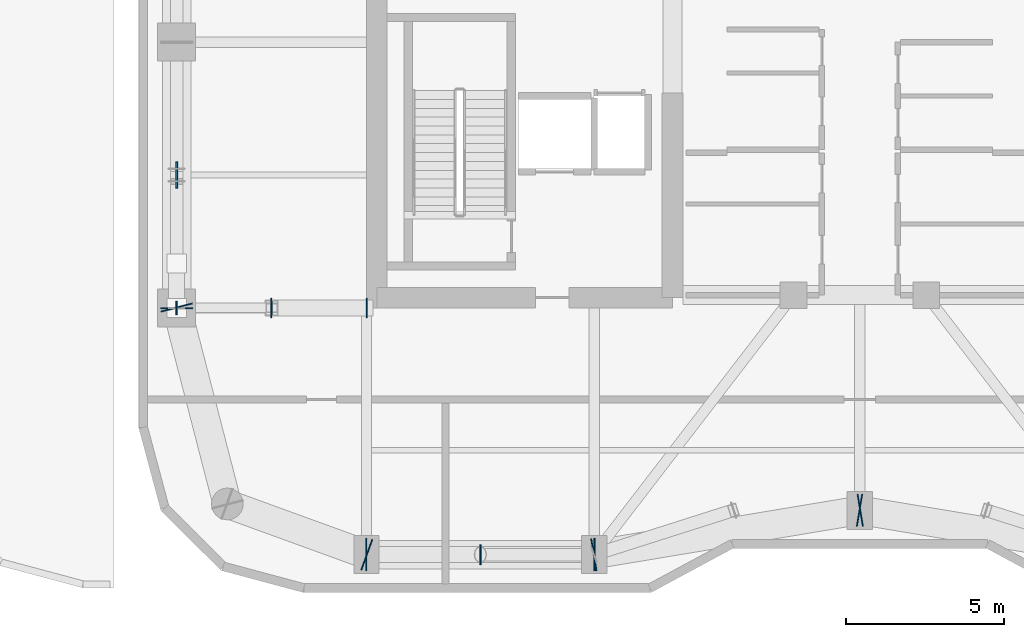
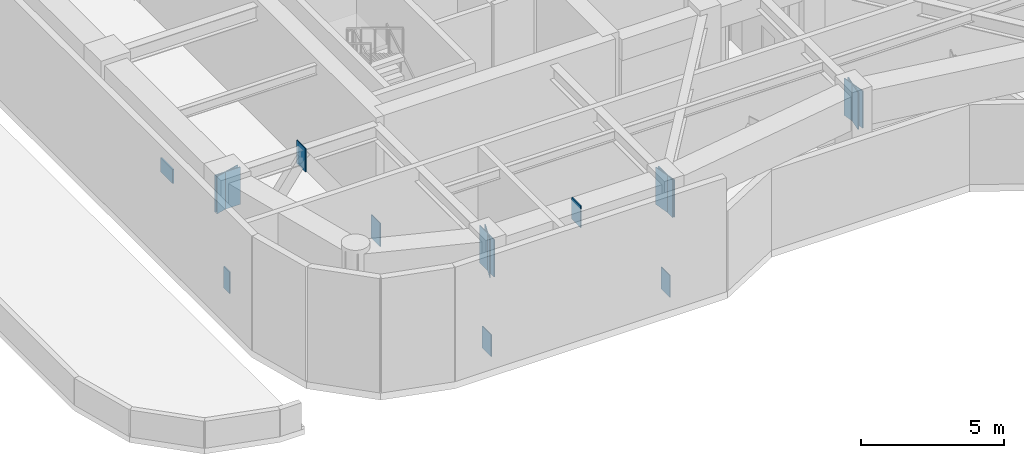
# One storey, part 3 of 16: 16 plates.
"""IFC4 building model written with IfcOpenShell, lengths in metres."""

from ifc_helpers import new_model, si_unit, direction, frame, origin, origin_2d, place, context, subcontext, project, spatial, rectangle, extrude, material, layer, layer_set, type_object, element, save


model = new_model("IFC4")

# Units and contexts
model_context = context("Model", 3, precision=1e-05, world=origin(), true_north=direction((0.0, 1.0)))
body_context = subcontext(model_context, "Body", "Model", "MODEL_VIEW")
ifc_project = project(units=[si_unit("LENGTHUNIT", "METRE"), si_unit("AREAUNIT", "SQUARE_METRE"), si_unit("VOLUMEUNIT", "CUBIC_METRE"), si_unit("PLANEANGLEUNIT", "RADIAN"), si_unit("MASSUNIT", "GRAM", prefix="KILO")], contexts=[model_context])

# Site, building, storey
site_placement = place(None, origin())
site = spatial("IfcSite", under=ifc_project, at=site_placement, CompositionType="ELEMENT")
building_placement = place(site_placement, origin())
building = spatial("IfcBuilding", under=site, at=building_placement, Name="Kiyonajd Concourse Tower", CompositionType="ELEMENT")
storey_placement = place(building_placement, frame((0.0, 0.0, 209.699951171875)))
storey = spatial("IfcBuildingStorey", under=building, at=storey_placement, Name="L53", CompositionType="ELEMENT", Elevation=209.699951171875)

# Plates
ifc_material = material(Name="Steel ASTM A572 Grade 50", Category="steel")
ifc_layer_1 = layer(ifc_material, 0.028076171875)
ifc_layer_set_1 = layer_set([ifc_layer_1], Name="Steel ASTM A572 Grade 50")
plate_type_1 = type_object("IfcPlateType", Name="PL-CAP-450", PredefinedType="USERDEFINED", material=ifc_layer_set_1)
plate_1_placement = place(storey_placement, frame((36.007080078125, 19.800048828125, 4.076171875), z_axis=(0.0, 0.0, 1.0), x_axis=(1.0, 0.0, 0.0)))
element("IfcPlate", 1, at=plate_1_placement, inside=storey, type_object=plate_type_1, Name="L53 Hollow Brace Top Cap Plate PBS", ObjectType="CAP PLATE", PredefinedType="USERDEFINED", context=body_context, shape_type="SweptSolid", body=[
    extrude(rectangle(XDim=0.035888671875, YDim=0.6279296875, at=origin_2d()), origin(), (0.0, 0.0, 1.0), 0.924072265625),
])
ifc_layer_2 = layer(ifc_material, 0.031982421875)
ifc_layer_set_2 = layer_set([ifc_layer_2], Name="Steel ASTM A572 Grade 50")
plate_type_2 = type_object("IfcPlateType", Name="PL-CAP-540", PredefinedType="USERDEFINED", material=ifc_layer_set_2)
for number, where, z_axis, x_axis, name in (
    (2, (32.406494140625, 27.60009765625, -0.2109375), (0.0, 0.0, 1.0), (1.0, 0.0, 0.0), "L53 Outrigger End Cap Plate 01"),
    (3, (29.3935546875, 27.60009765625, 4.037109375), (0.0, 0.0, 1.0), (-1.0, 0.0, 0.0), "L53 Outrigger Far End Cap Plate 01"),
):
    element("IfcPlate", number, at=place(storey_placement, frame(where, z_axis=z_axis, x_axis=x_axis)), inside=storey, type_object=plate_type_2, Name=name, ObjectType="CAP PLATE", PredefinedType="USERDEFINED", context=body_context, shape_type="SweptSolid", body=[
        extrude(rectangle(XDim=0.035888671875, YDim=0.6201171875, at=origin_2d()), origin(), (0.0, 0.0, 1.0), 1.00390625),
    ])
for number, where, z_axis, x_axis, name in (
    (4, (29.406494140625, 27.60009765625, 4.080078125), (0.0, 0.0, 1.0), (1.0, 0.0, 0.0), "L53 Outrigger End Cap Plate 02"),
    (5, (26.3935546875, 27.60009765625, -0.16796875), (0.0, 0.0, 1.0), (-1.0, 0.0, 0.0), "L53 Outrigger Far End Cap Plate 02"),
):
    element("IfcPlate", number, at=place(storey_placement, frame(where, z_axis=z_axis, x_axis=x_axis)), inside=storey, type_object=plate_type_2, Name=name, ObjectType="CAP PLATE", PredefinedType="USERDEFINED", context=body_context, shape_type="SweptSolid", body=[
        extrude(rectangle(XDim=0.035888671875, YDim=0.419921875, at=origin_2d()), origin(), (0.0, 0.0, 1.0), 0.91796875),
    ])
for number, where, z_axis, x_axis, name in (
    (6, (32.388916015625, 19.800048828125, -0.169921875), (0.0, 0.0, 1.0), (-1.0, 0.0, 0.0), "L53 Belt Chord Cap Plate"),
    (7, (39.611083984375, 19.800048828125, -0.169921875), (0.0, 0.0, 1.0), (1.0, 0.0, 0.0), "L53 Belt Chord Cap Plate"),
):
    element("IfcPlate", number, at=place(storey_placement, frame(where, z_axis=z_axis, x_axis=x_axis)), inside=storey, type_object=plate_type_2, Name=name, ObjectType="CAP PLATE", PredefinedType="USERDEFINED", context=body_context, shape_type="SweptSolid", body=[
        extrude(rectangle(XDim=0.035888671875, YDim=0.6201171875, at=origin_2d()), origin(), (0.0, 0.0, 1.0), 0.93994140625),
    ])
for number, where, z_axis, x_axis, name in (
    (8, (26.397216796875, 27.610595703125, 3.35986328125), (0.0, 0.0, 1.0), (-0.249873048837, 0.968278606324, 0.0), "L53 Welded Box Girder End Cap"),
    (9, (32.410400390625, 19.796142578125, 3.35986328125), (0.0, 0.0, 1.0), (0.939811951086, -0.341692107891, 0.0), "L53 Welded Box Girder End Cap"),
    (10, (32.388916015625, 19.800048828125, 3.35986328125), (0.0, 0.0, 1.0), (-1.0, 0.0, 0.0), "L53 Welded Box Girder End Cap"),
    (11, (39.611083984375, 19.800048828125, 3.35986328125), (0.0, 0.0, 1.0), (1.0, 0.0, 0.0), "L53 Welded Box Girder End Cap"),
    (12, (39.589111328125, 19.798095703125, 3.35986328125), (0.0, 0.0, 1.0), (-0.986400586142, -0.164359008451, 0.0), "L53 Welded Box Girder End Cap"),
    (13, (48.010986328125, 21.201904296875, 3.35986328125), (0.0, 0.0, 1.0), (0.986400586142, 0.164359008451, 0.0), "L53 Welded Box Girder End Cap"),
    (14, (47.989013671875, 21.201904296875, 3.35986328125), (0.0, 0.0, 1.0), (-0.986400586142, 0.164359008451, 0.0), "L53 Welded Box Girder End Cap"),
    (15, (26.39990234375, 27.589111328125, 3.35986328125), (0.0, 0.0, 1.0), (0.0, -1.0, 0.0), "L53 Welded Box Girder End Cap"),
):
    element("IfcPlate", number, at=place(storey_placement, frame(where, z_axis=z_axis, x_axis=x_axis)), inside=storey, type_object=plate_type_2, Name=name, ObjectType="CAP PLATE", PredefinedType="USERDEFINED", context=body_context, shape_type="SweptSolid", body=[
        extrude(rectangle(XDim=0.035888671875, YDim=1.02001953125, at=origin_2d()), origin(), (0.0, 0.0, 1.0), 1.590087890625),
    ])
ifc_layer_3 = layer(ifc_material, 0.06005859375)
ifc_layer_set_3 = layer_set([ifc_layer_3], Name="Steel ASTM A572 Grade 50")
plate_type_3 = type_object("IfcPlateType", Name="PL-XNODE-60", PredefinedType="USERDEFINED", material=ifc_layer_set_3)
plate_2_placement = place(storey_placement, frame((26.39990234375, 31.800048828125, 2.114990234375), z_axis=(0.0, 0.0, 1.0), x_axis=(1.0, 0.0, 0.0)))
element("IfcPlate", 16, at=plate_2_placement, inside=storey, type_object=plate_type_3, Name="L53 Belt Truss X Brace Crossing Gusset Plate XN1 W1", ObjectType="GUSSET PLATE", PredefinedType="USERDEFINED", context=body_context, shape_type="SweptSolid", body=[
    extrude(rectangle(XDim=0.06005859375, YDim=0.840087890625, at=origin_2d()), origin(), (0.0, 0.0, 1.0), 0.60009765625),
])

save(model, "model.ifc")
